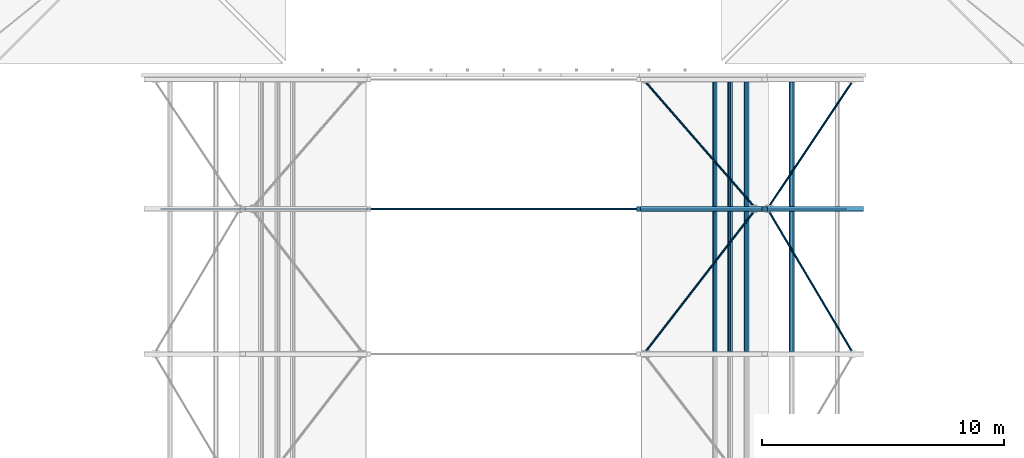
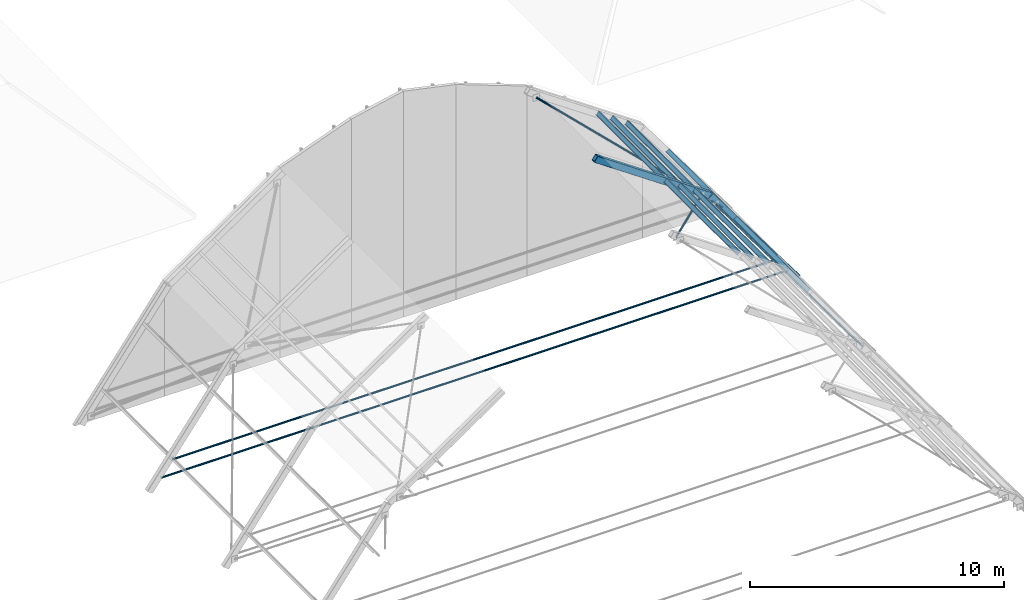
# One storey, part 7 of 43: 14 members, 2 beams.
"""IFC4 building model written with IfcOpenShell, lengths in metres."""

from ifc_helpers import new_model, si_unit, direction, frame, origin, origin_2d, place, context, subcontext, project, spatial, hollow_rectangle, hollow_circle, i_section, extrude, material, material_profile, profile_set, type_object, element, save


model = new_model("IFC4")

# Units and contexts
model_context = context("Model", 3, precision=1e-05, world=origin(), true_north=direction((0.0, 1.0)))
body_context = subcontext(model_context, "Body", "Model", "MODEL_VIEW")
ifc_project = project(units=[si_unit("LENGTHUNIT", "METRE"), si_unit("AREAUNIT", "SQUARE_METRE"), si_unit("VOLUMEUNIT", "CUBIC_METRE"), si_unit("PLANEANGLEUNIT", "RADIAN"), si_unit("MASSUNIT", "GRAM", prefix="KILO")], contexts=[model_context])

# Site, building, storey
site_placement = place(None, origin())
site = spatial("IfcSite", under=ifc_project, at=site_placement, CompositionType="ELEMENT")
building_placement = place(site_placement, origin())
building = spatial("IfcBuilding", under=site, at=building_placement, Name="Saffron Lane Theatres", CompositionType="ELEMENT")
storey_placement = place(building_placement, frame((0.0, 0.0, 23.0)))
storey = spatial("IfcBuildingStorey", under=building, at=storey_placement, Name="Roof", CompositionType="ELEMENT", Elevation=23.0)

# Members
ifc_material_1 = material(Name="Steel Grade 350", Category="steel")
ifc_material_profile_1 = material_profile(ifc_material_1, hollow_circle(Radius=0.04443359375, WallThickness=0.005859375, at=origin_2d()))
ifc_profile_set_1 = profile_set([ifc_material_profile_1], Name="Steel Grade 350")
member_type_1 = type_object("IfcMemberType", Name="ST-VAULT BRACE 88.9x5.9 CHS", PredefinedType="BRACE", material=ifc_profile_set_1)
member_1_placement = place(storey_placement, frame((38.894775390625, 78.140380859375, 6.6708984375), z_axis=(0.563659260503, 0.729034995393, -0.388324881436), x_axis=(-0.791120093117, 0.611660852324, 0.0)))
element("IfcMember", 1, at=member_1_placement, inside=storey, type_object=member_type_1, Name="VB39", PredefinedType="BRACE", context=body_context, shape_type="SweptSolid", body=[
    extrude(hollow_circle(Radius=0.04443359375, WallThickness=0.005859375, at=origin_2d()), origin(), (0.0, 0.0, 1.0), 7.844970703125),
])
member_2_placement = place(storey_placement, frame((43.988037109375, 83.858642578125, 2.976318359375), z_axis=(0.420650922194, -0.709712053021, -0.565120875083), x_axis=(0.860248567994, 0.509874887854, 0.0)))
element("IfcMember", 2, at=member_2_placement, inside=storey, type_object=member_type_1, Name="VB40", PredefinedType="BRACE", context=body_context, shape_type="SweptSolid", body=[
    extrude(hollow_circle(Radius=0.04443359375, WallThickness=0.005859375, at=origin_2d()), origin(), (0.0, 0.0, 1.0), 8.0556640625),
])
member_3_placement = place(storey_placement, frame((38.900390625, 89.207763671875, 6.6669921875), z_axis=(0.598302857614, -0.687124304759, -0.41218185353), x_axis=(0.754168697763, 0.656680725554, 0.0)))
element("IfcMember", 3, at=member_3_placement, inside=storey, type_object=member_type_1, Name="VB47", PredefinedType="BRACE", context=body_context, shape_type="SweptSolid", body=[
    extrude(hollow_circle(Radius=0.04443359375, WallThickness=0.005859375, at=origin_2d()), origin(), (0.0, 0.0, 1.0), 7.371826171875),
])
member_4_placement = place(storey_placement, frame((43.992431640625, 84.14306640625, 2.970703125), z_axis=(0.444999189173, 0.666695187998, -0.597907390769), x_axis=(-0.831741693908, 0.555162818112, 0.0)))
element("IfcMember", 4, at=member_4_placement, inside=storey, type_object=member_type_1, Name="VB48", PredefinedType="BRACE", context=body_context, shape_type="SweptSolid", body=[
    extrude(hollow_circle(Radius=0.04443359375, WallThickness=0.005859375, at=origin_2d()), origin(), (0.0, 0.0, 1.0), 7.59521484375),
])
ifc_material_2 = material(Name="Steel Grade 350", Category="steel")
ifc_material_profile_2 = material_profile(ifc_material_2, i_section(OverallWidth=0.09912109375, OverallDepth=0.197998046875, WebThickness=0.00439453125, FlangeThickness=0.007080078125, FilletRadius=0.010986328125, at=origin_2d()))
ifc_profile_set_2 = profile_set([ifc_material_profile_2], Name="Steel Grade 350")
member_type_2 = type_object("IfcMemberType", Name="ST-VAULT PURLIN 200UB18.2", PredefinedType="PURLIN", material=ifc_profile_set_2)
for number, where, z_axis, x_axis, name in (
    (5, (41.719970703125, 78.10009765625, 4.90771484375), (0.0, 1.0, 0.0), (0.823487130919, 0.0, -0.567334949752), "VP5G2"),
    (6, (42.351318359375, 78.10009765625, 4.472900390625), (0.0, 1.0, 0.0), (0.823487130919, 0.0, -0.567334949752), "VP5G3"),
    (7, (43.035400390625, 78.10009765625, 4.001708984375), (0.0, 1.0, 0.0), (0.823487130919, 0.0, -0.567334949752), "VP5G4"),
    (8, (44.908447265625, 78.10009765625, 1.99267578125), (0.0, 1.0, 0.0), (0.597068546596, 0.0, -0.802190220998), "VP5H1"),
):
    element("IfcMember", number, at=place(storey_placement, frame(where, z_axis=z_axis, x_axis=x_axis)), inside=storey, type_object=member_type_2, Name=name, PredefinedType="PURLIN", context=body_context, shape_type="SweptSolid", body=[
        extrude(i_section(OverallWidth=0.09912109375, OverallDepth=0.197998046875, WebThickness=0.00439453125, FlangeThickness=0.007080078125, FilletRadius=0.010986328125, at=origin_2d()), origin(), (0.0, 0.0, 1.0), 5.7998046875),
    ])
for number, where, z_axis, x_axis, name in (
    (9, (41.719970703125, 84.10009765625, 4.90771484375), (0.0, 1.0, 0.0), (0.823487130919, 0.0, -0.567334949752), "VP6G2"),
    (10, (42.351318359375, 84.10009765625, 4.472900390625), (0.0, 1.0, 0.0), (0.823487130919, 0.0, -0.567334949752), "VP6G3"),
    (11, (43.035400390625, 84.10009765625, 4.001708984375), (0.0, 1.0, 0.0), (0.823487130919, 0.0, -0.567334949752), "VP6G4"),
    (12, (44.908447265625, 84.10009765625, 1.99267578125), (0.0, 1.0, 0.0), (0.597068546596, 0.0, -0.802190220998), "VP6H1"),
):
    element("IfcMember", number, at=place(storey_placement, frame(where, z_axis=z_axis, x_axis=x_axis)), inside=storey, type_object=member_type_2, Name=name, PredefinedType="PURLIN", context=body_context, shape_type="SweptSolid", body=[
        extrude(i_section(OverallWidth=0.09912109375, OverallDepth=0.197998046875, WebThickness=0.00439453125, FlangeThickness=0.007080078125, FilletRadius=0.010986328125, at=origin_2d()), origin(), (0.0, 0.0, 1.0), 5.14990234375),
    ])

# Beams
ifc_material_3 = material(Name="Steel Grade 350", Category="steel")
ifc_material_profile_3 = material_profile(ifc_material_3, hollow_rectangle(XDim=0.199951171875, YDim=0.300048828125, WallThickness=0.010009765625, InnerFilletRadius=0.0048828125, OuterFilletRadius=0.014892578125, at=origin_2d()))
ifc_profile_set_3 = profile_set([ifc_material_profile_3], Name="Steel Grade 350")
beam_type = type_object("IfcBeamType", Name="ST-VAULT RIB 300x200x10 RHS", PredefinedType="USERDEFINED", material=ifc_profile_set_3)
beam_1_placement = place(storey_placement, frame((38.56494140625, 84.0, 7.01953125), z_axis=(0.823484273619, 0.0, -0.567339097104), x_axis=(0.0, 1.0, 0.0)))
element("IfcBeam", 13, at=beam_1_placement, inside=storey, type_object=beam_type, Name="VR6G", ObjectType="VAULT RIB", PredefinedType="USERDEFINED", context=body_context, shape_type="SweptSolid", body=[
    extrude(hollow_rectangle(XDim=0.199951171875, YDim=0.300048828125, WallThickness=0.010009765625, InnerFilletRadius=0.0048828125, OuterFilletRadius=0.014892578125, at=origin_2d()), origin(), (0.0, 0.0, 1.0), 6.302001953125),
])
beam_2_placement = place(storey_placement, frame((43.7900390625, 84.0, 3.41015625), z_axis=(0.597057046595, 0.0, -0.802198780298), x_axis=(0.0, 1.0, 0.0)))
element("IfcBeam", 14, at=beam_2_placement, inside=storey, type_object=beam_type, Name="VR6H", ObjectType="VAULT RIB", PredefinedType="USERDEFINED", context=body_context, shape_type="SweptSolid", body=[
    extrude(hollow_rectangle(XDim=0.199951171875, YDim=0.300048828125, WallThickness=0.010009765625, InnerFilletRadius=0.0048828125, OuterFilletRadius=0.014892578125, at=origin_2d()), origin(), (0.0, 0.0, 1.0), 6.632568359375),
])

# Members
ifc_material_4 = material(Name="Steel Grade 350", Category="steel")
ifc_material_profile_4 = material_profile(ifc_material_4, hollow_circle(Radius=0.04443359375, WallThickness=0.005859375, at=origin_2d()))
ifc_profile_set_4 = profile_set([ifc_material_profile_4], Name="Steel Grade 350")
member_type_3 = type_object("IfcMemberType", Name="ST-VAULT TIE 88.9x5.9 CHS", PredefinedType="USERDEFINED", material=ifc_profile_set_4)
member_5_placement = place(storey_placement, frame((18.812744140625, 84.0, -1.449951171875), z_axis=(1.0, 0.0, 0.0), x_axis=(0.0, 1.0, 0.0)))
element("IfcMember", 15, at=member_5_placement, inside=storey, type_object=member_type_3, Name="VT6-1", ObjectType="TIE ROD", PredefinedType="USERDEFINED", context=body_context, shape_type="SweptSolid", body=[
    extrude(hollow_circle(Radius=0.04443359375, WallThickness=0.005859375, at=origin_2d()), origin(), (0.0, 0.0, 1.0), 28.37451171875),
])
member_6_placement = place(storey_placement, frame((19.333740234375, 84.0, -0.75), z_axis=(1.0, 0.0, 0.0), x_axis=(0.0, 1.0, 0.0)))
element("IfcMember", 16, at=member_6_placement, inside=storey, type_object=member_type_3, Name="VT6-2", ObjectType="TIE ROD", PredefinedType="USERDEFINED", context=body_context, shape_type="SweptSolid", body=[
    extrude(hollow_circle(Radius=0.04443359375, WallThickness=0.005859375, at=origin_2d()), origin(), (0.0, 0.0, 1.0), 27.33251953125),
])

save(model, "model.ifc")
